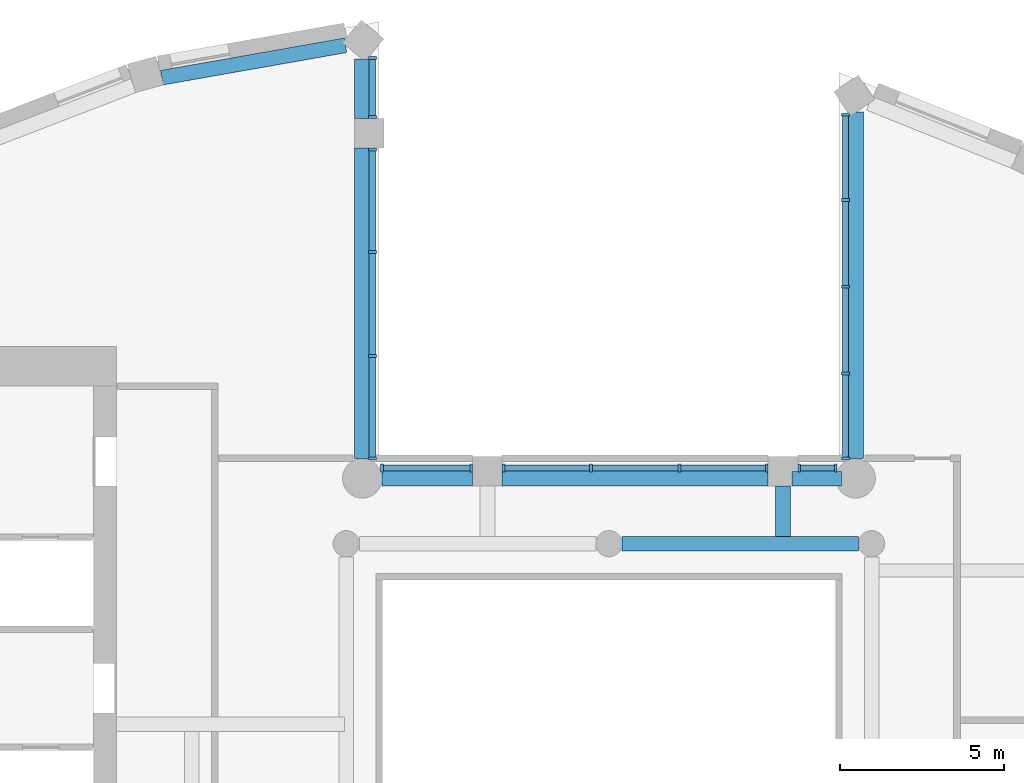
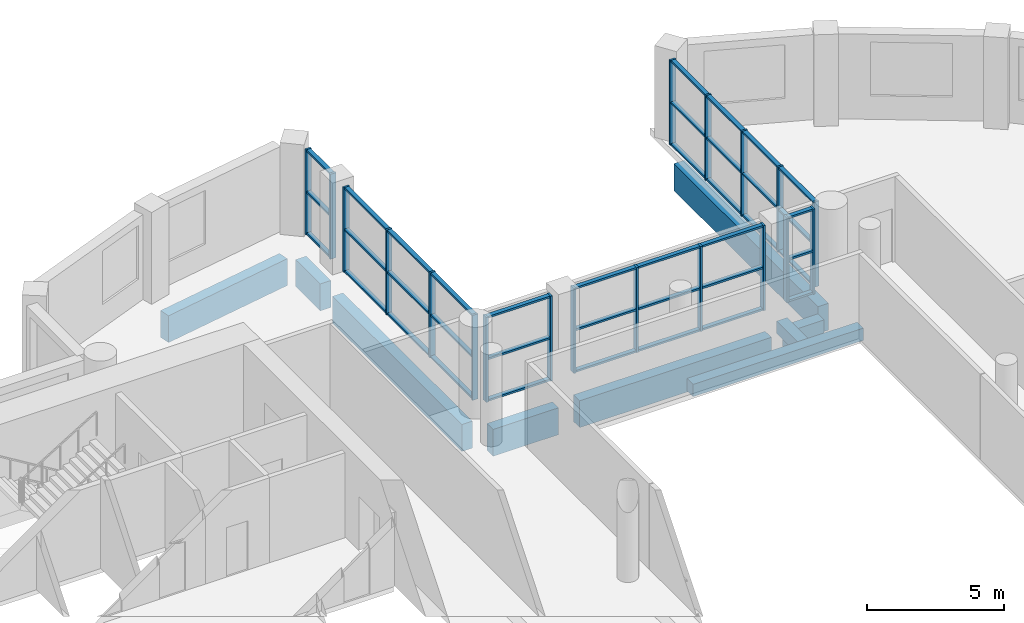
# One storey, part 2 of 14: 58 members, 9 beams, 6 elements without a shape of their own.
"""IFC4 building model written with IfcOpenShell, lengths in metres."""

from ifc_helpers import new_model, si_unit, direction, frame, origin, origin_2d, place, context, subcontext, project, spatial, rectangle, extrude, material, material_profile, profile_set, type_object, element, aggregate, save


model = new_model("IFC4")

# Units and contexts
model_context = context("Model", 3, precision=1e-05, world=origin(), true_north=direction((0.0, 1.0)))
body_context = subcontext(model_context, "Body", "Model", "MODEL_VIEW")
ifc_project = project(units=[si_unit("LENGTHUNIT", "METRE"), si_unit("AREAUNIT", "SQUARE_METRE"), si_unit("VOLUMEUNIT", "CUBIC_METRE"), si_unit("PLANEANGLEUNIT", "RADIAN"), si_unit("MASSUNIT", "GRAM", prefix="KILO")], contexts=[model_context])

# Site, building, storey
site_placement = place(None, origin())
site = spatial("IfcSite", under=ifc_project, at=site_placement, CompositionType="ELEMENT")
building_placement = place(site_placement, origin())
building = spatial("IfcBuilding", under=site, at=building_placement, Name="Cypress Arch Tower", CompositionType="ELEMENT")
storey_placement = place(building_placement, frame((0.0, 0.0, 325.39990234375)))
storey = spatial("IfcBuildingStorey", under=building, at=storey_placement, Name="L74", CompositionType="ELEMENT", Elevation=325.39990234375)

# Beams
ifc_material_1 = material(Name="Concrete C50/60", Category="concrete")
ifc_material_profile_1 = material_profile(ifc_material_1, rectangle(XDim=0.449951171875, YDim=0.550048828125, at=origin_2d()), Name="RC 450x550")
ifc_profile_set_1 = profile_set([ifc_material_profile_1], Name="Concrete C50/60")
beam_type_1 = type_object("IfcBeamType", Name="Floor beam RC 450x550 Concrete C50/60", PredefinedType="BEAM", material=ifc_profile_set_1)
beam_1_placement = place(storey_placement, frame((1.39990234375, 10.0, -0.574951171875), z_axis=(1.0, 0.0, 0.0), x_axis=(0.0, 1.0, 0.0)))
element("IfcBeam", 1, at=beam_1_placement, inside=storey, type_object=beam_type_1, Name="Floor beam L74 RB008", PredefinedType="BEAM", context=body_context, shape_type="SweptSolid", body=[
    extrude(rectangle(XDim=0.449951171875, YDim=0.550048828125, at=origin_2d()), origin(), (0.0, 0.0, 1.0), 7.2001953125),
])
beam_2_placement = place(storey_placement, frame((6.300048828125, 10.22509765625, -0.574951171875), z_axis=(0.0, 1.0, 0.0), x_axis=(-1.0, 0.0, 0.0)))
element("IfcBeam", 2, at=beam_2_placement, inside=storey, type_object=beam_type_1, Name="Floor beam L74 FB013", PredefinedType="BEAM", context=body_context, shape_type="SweptSolid", body=[
    extrude(rectangle(XDim=0.449951171875, YDim=0.550048828125, at=origin_2d()), origin(), (0.0, 0.0, 1.0), 1.52490234375),
])

# Curtain wall, members
ifc_material_2 = material(Name="Anodised aluminium, bronze finish, clear laminated double glazing", Category="aluminium")
curtain_wall_type = type_object("IfcCurtainWallType", Name="Curtain wall CW7 slot glazing", PredefinedType="NOTDEFINED", material=ifc_material_2)
curtain_wall_1_placement = place(storey_placement, origin())
curtain_wall_1 = element("IfcCurtainWall", 3, at=curtain_wall_1_placement, inside=storey, type_object=curtain_wall_type, Name="Curtain wall L74 slot C00.0", PredefinedType="NOTDEFINED")
ifc_material_3 = material(Name="Anodised aluminium, bronze finish", Category="aluminium")
ifc_material_profile_2 = material_profile(ifc_material_3, rectangle(XDim=0.239990234375, YDim=0.0849609375, at=origin_2d()), Name="Mullion 85x240")
ifc_profile_set_2 = profile_set([ifc_material_profile_2], Name="Anodised aluminium, bronze finish")
member_type_1 = type_object("IfcMemberType", Name="Mullion CW7 85x240", PredefinedType="MULLION", material=ifc_profile_set_2)
member_1_placement = place(storey_placement, frame((8.199951171875, 23.060302734375, 0.0), z_axis=(0.0, 0.0, 1.0), x_axis=(1.0, 0.0, 0.0)))
member_1 = element("IfcMember", 4, at=member_1_placement, type_object=member_type_1, Name="CW7 mullion 1", PredefinedType="MULLION", context=body_context, shape_type="SweptSolid", body=[
    extrude(rectangle(XDim=0.239990234375, YDim=0.0849609375, at=origin_2d()), origin(), (0.0, 0.0, 1.0), 3.800048828125),
])
member_2_placement = place(storey_placement, frame((8.199951171875, 20.464111328125, 0.0), z_axis=(0.0, 0.0, 1.0), x_axis=(1.0, 0.0, 0.0)))
member_2 = element("IfcMember", 5, at=member_2_placement, type_object=member_type_1, Name="CW7 mullion 2", PredefinedType="MULLION", context=body_context, shape_type="SweptSolid", body=[
    extrude(rectangle(XDim=0.239990234375, YDim=0.0849609375, at=origin_2d()), origin(), (0.0, 0.0, 1.0), 3.800048828125),
])
member_3_placement = place(storey_placement, frame((8.199951171875, 17.82568359375, 0.0), z_axis=(0.0, 0.0, 1.0), x_axis=(1.0, 0.0, 0.0)))
member_3 = element("IfcMember", 6, at=member_3_placement, type_object=member_type_1, Name="CW7 mullion 3", PredefinedType="MULLION", context=body_context, shape_type="SweptSolid", body=[
    extrude(rectangle(XDim=0.239990234375, YDim=0.0849609375, at=origin_2d()), origin(), (0.0, 0.0, 1.0), 3.800048828125),
])
member_4_placement = place(storey_placement, frame((8.199951171875, 15.18701171875, 0.0), z_axis=(0.0, 0.0, 1.0), x_axis=(1.0, 0.0, 0.0)))
member_4 = element("IfcMember", 7, at=member_4_placement, type_object=member_type_1, Name="CW7 mullion 4", PredefinedType="MULLION", context=body_context, shape_type="SweptSolid", body=[
    extrude(rectangle(XDim=0.239990234375, YDim=0.0849609375, at=origin_2d()), origin(), (0.0, 0.0, 1.0), 3.800048828125),
])
member_5_placement = place(storey_placement, frame((8.199951171875, 12.591064453125, 0.0), z_axis=(0.0, 0.0, 1.0), x_axis=(1.0, 0.0, 0.0)))
member_5 = element("IfcMember", 8, at=member_5_placement, type_object=member_type_1, Name="CW7 mullion 5", PredefinedType="MULLION", context=body_context, shape_type="SweptSolid", body=[
    extrude(rectangle(XDim=0.239990234375, YDim=0.0849609375, at=origin_2d()), origin(), (0.0, 0.0, 1.0), 3.800048828125),
])

curtain_wall_2_placement = place(storey_placement, origin())
curtain_wall_2 = element("IfcCurtainWall", 9, at=curtain_wall_2_placement, inside=storey, type_object=curtain_wall_type, Name="Curtain wall L74 slot C01.0", PredefinedType="NOTDEFINED")
member_6_placement = place(storey_placement, frame((7.908935546875, 12.300048828125, 0.0), z_axis=(0.0, 0.0, 1.0), x_axis=(0.0, -1.0, 0.0)))
member_6 = element("IfcMember", 10, at=member_6_placement, type_object=member_type_1, Name="CW7 mullion 1", PredefinedType="MULLION", context=body_context, shape_type="SweptSolid", body=[
    extrude(rectangle(XDim=0.239990234375, YDim=0.0849609375, at=origin_2d()), origin(), (0.0, 0.0, 1.0), 3.800048828125),
])
member_7_placement = place(storey_placement, frame((6.79248046875, 12.300048828125, 0.0), z_axis=(0.0, 0.0, 1.0), x_axis=(0.0, -1.0, 0.0)))
member_7 = element("IfcMember", 11, at=member_7_placement, type_object=member_type_1, Name="CW7 mullion 2", PredefinedType="MULLION", context=body_context, shape_type="SweptSolid", body=[
    extrude(rectangle(XDim=0.239990234375, YDim=0.0849609375, at=origin_2d()), origin(), (0.0, 0.0, 1.0), 3.800048828125),
])

curtain_wall_3_placement = place(storey_placement, origin())
curtain_wall_3 = element("IfcCurtainWall", 12, at=curtain_wall_3_placement, inside=storey, type_object=curtain_wall_type, Name="Curtain wall L74 slot C01.1", PredefinedType="NOTDEFINED")
member_8_placement = place(storey_placement, frame((5.8076171875, 12.300048828125, 0.0), z_axis=(0.0, 0.0, 1.0), x_axis=(0.0, -1.0, 0.0)))
member_8 = element("IfcMember", 13, at=member_8_placement, type_object=member_type_1, Name="CW7 mullion 1", PredefinedType="MULLION", context=body_context, shape_type="SweptSolid", body=[
    extrude(rectangle(XDim=0.239990234375, YDim=0.0849609375, at=origin_2d()), origin(), (0.0, 0.0, 1.0), 3.800048828125),
])
member_9_placement = place(storey_placement, frame((3.14990234375, 12.300048828125, 0.0), z_axis=(0.0, 0.0, 1.0), x_axis=(0.0, -1.0, 0.0)))
member_9 = element("IfcMember", 14, at=member_9_placement, type_object=member_type_1, Name="CW7 mullion 2", PredefinedType="MULLION", context=body_context, shape_type="SweptSolid", body=[
    extrude(rectangle(XDim=0.239990234375, YDim=0.0849609375, at=origin_2d()), origin(), (0.0, 0.0, 1.0), 3.800048828125),
])
member_10_placement = place(storey_placement, frame((0.449951171875, 12.300048828125, 0.0), z_axis=(0.0, 0.0, 1.0), x_axis=(0.0, -1.0, 0.0)))
member_10 = element("IfcMember", 15, at=member_10_placement, type_object=member_type_1, Name="CW7 mullion 3", PredefinedType="MULLION", context=body_context, shape_type="SweptSolid", body=[
    extrude(rectangle(XDim=0.239990234375, YDim=0.0849609375, at=origin_2d()), origin(), (0.0, 0.0, 1.0), 3.800048828125),
])
member_11_placement = place(storey_placement, frame((-2.20751953125, 12.300048828125, 0.0), z_axis=(0.0, 0.0, 1.0), x_axis=(0.0, -1.0, 0.0)))
member_11 = element("IfcMember", 16, at=member_11_placement, type_object=member_type_1, Name="CW7 mullion 4", PredefinedType="MULLION", context=body_context, shape_type="SweptSolid", body=[
    extrude(rectangle(XDim=0.239990234375, YDim=0.0849609375, at=origin_2d()), origin(), (0.0, 0.0, 1.0), 3.800048828125),
])

curtain_wall_4_placement = place(storey_placement, origin())
curtain_wall_4 = element("IfcCurtainWall", 17, at=curtain_wall_4_placement, inside=storey, type_object=curtain_wall_type, Name="Curtain wall L74 slot C01.2", PredefinedType="NOTDEFINED")
member_12_placement = place(storey_placement, frame((-3.1923828125, 12.300048828125, 0.0), z_axis=(0.0, 0.0, 1.0), x_axis=(0.0, -1.0, 0.0)))
member_12 = element("IfcMember", 18, at=member_12_placement, type_object=member_type_1, Name="CW7 mullion 1", PredefinedType="MULLION", context=body_context, shape_type="SweptSolid", body=[
    extrude(rectangle(XDim=0.239990234375, YDim=0.0849609375, at=origin_2d()), origin(), (0.0, 0.0, 1.0), 3.800048828125),
])
member_13_placement = place(storey_placement, frame((-5.908935546875, 12.300048828125, 0.0), z_axis=(0.0, 0.0, 1.0), x_axis=(0.0, -1.0, 0.0)))
member_13 = element("IfcMember", 19, at=member_13_placement, type_object=member_type_1, Name="CW7 mullion 2", PredefinedType="MULLION", context=body_context, shape_type="SweptSolid", body=[
    extrude(rectangle(XDim=0.239990234375, YDim=0.0849609375, at=origin_2d()), origin(), (0.0, 0.0, 1.0), 3.800048828125),
])

curtain_wall_5_placement = place(storey_placement, origin())
curtain_wall_5 = element("IfcCurtainWall", 20, at=curtain_wall_5_placement, inside=storey, type_object=curtain_wall_type, Name="Curtain wall L74 slot C02.0", PredefinedType="NOTDEFINED")
member_14_placement = place(storey_placement, frame((-6.199951171875, 12.591064453125, 0.0), z_axis=(0.0, 0.0, 1.0), x_axis=(-1.0, 0.0, 0.0)))
member_14 = element("IfcMember", 21, at=member_14_placement, type_object=member_type_1, Name="CW7 mullion 1", PredefinedType="MULLION", context=body_context, shape_type="SweptSolid", body=[
    extrude(rectangle(XDim=0.239990234375, YDim=0.0849609375, at=origin_2d()), origin(), (0.0, 0.0, 1.0), 3.800048828125),
])
member_15_placement = place(storey_placement, frame((-6.199951171875, 15.715576171875, 0.0), z_axis=(0.0, 0.0, 1.0), x_axis=(-1.0, 0.0, 0.0)))
member_15 = element("IfcMember", 22, at=member_15_placement, type_object=member_type_1, Name="CW7 mullion 2", PredefinedType="MULLION", context=body_context, shape_type="SweptSolid", body=[
    extrude(rectangle(XDim=0.239990234375, YDim=0.0849609375, at=origin_2d()), origin(), (0.0, 0.0, 1.0), 3.800048828125),
])
member_16_placement = place(storey_placement, frame((-6.199951171875, 18.8828125, 0.0), z_axis=(0.0, 0.0, 1.0), x_axis=(-1.0, 0.0, 0.0)))
member_16 = element("IfcMember", 23, at=member_16_placement, type_object=member_type_1, Name="CW7 mullion 3", PredefinedType="MULLION", context=body_context, shape_type="SweptSolid", body=[
    extrude(rectangle(XDim=0.239990234375, YDim=0.0849609375, at=origin_2d()), origin(), (0.0, 0.0, 1.0), 3.800048828125),
])
member_17_placement = place(storey_placement, frame((-6.199951171875, 22.007568359375, 0.0), z_axis=(0.0, 0.0, 1.0), x_axis=(-1.0, 0.0, 0.0)))
member_17 = element("IfcMember", 24, at=member_17_placement, type_object=member_type_1, Name="CW7 mullion 4", PredefinedType="MULLION", context=body_context, shape_type="SweptSolid", body=[
    extrude(rectangle(XDim=0.239990234375, YDim=0.0849609375, at=origin_2d()), origin(), (0.0, 0.0, 1.0), 3.800048828125),
])

curtain_wall_6_placement = place(storey_placement, origin())
curtain_wall_6 = element("IfcCurtainWall", 25, at=curtain_wall_6_placement, inside=storey, type_object=curtain_wall_type, Name="Curtain wall L74 slot C02.1", PredefinedType="NOTDEFINED")
member_18_placement = place(storey_placement, frame((-6.199951171875, 22.992431640625, 0.0), z_axis=(0.0, 0.0, 1.0), x_axis=(-1.0, 0.0, 0.0)))
member_18 = element("IfcMember", 26, at=member_18_placement, type_object=member_type_1, Name="CW7 mullion 1", PredefinedType="MULLION", context=body_context, shape_type="SweptSolid", body=[
    extrude(rectangle(XDim=0.239990234375, YDim=0.0849609375, at=origin_2d()), origin(), (0.0, 0.0, 1.0), 3.800048828125),
])
member_19_placement = place(storey_placement, frame((-6.199951171875, 24.789794921875, 0.0), z_axis=(0.0, 0.0, 1.0), x_axis=(-1.0, 0.0, 0.0)))
member_19 = element("IfcMember", 27, at=member_19_placement, type_object=member_type_1, Name="CW7 mullion 2", PredefinedType="MULLION", context=body_context, shape_type="SweptSolid", body=[
    extrude(rectangle(XDim=0.239990234375, YDim=0.0849609375, at=origin_2d()), origin(), (0.0, 0.0, 1.0), 3.800048828125),
])

# Beams
ifc_material_4 = material(Name="Concrete C50/60", Category="concrete")
ifc_material_profile_3 = material_profile(ifc_material_4, rectangle(XDim=0.449951171875, YDim=1.199951171875, at=origin_2d()), Name="RC 450x1200")
ifc_profile_set_3 = profile_set([ifc_material_profile_3], Name="Concrete C50/60")
beam_type_2 = type_object("IfcBeamType", Name="Spandrel beam RC 450x1200 Concrete C50/60", PredefinedType="SPANDREL", material=ifc_profile_set_3)
beam_3_placement = place(storey_placement, frame((8.52490234375, 23.138427734375, -1.5498046875), z_axis=(0.0, -1.0, 0.0), x_axis=(1.0, 0.0, 0.0)))
element("IfcBeam", 28, at=beam_3_placement, inside=storey, type_object=beam_type_2, Name="Spandrel beam L74 BC00-0", PredefinedType="SPANDREL", context=body_context, shape_type="SweptSolid", body=[
    extrude(rectangle(XDim=0.449951171875, YDim=1.199951171875, at=origin_2d()), origin(), (0.0, 0.0, 1.0), 10.55078125),
])
beam_4_placement = place(storey_placement, frame((8.081298828125, 11.97509765625, -1.5498046875), z_axis=(-1.0, 0.0, 0.0), x_axis=(0.0, -1.0, 0.0)))
element("IfcBeam", 29, at=beam_4_placement, inside=storey, type_object=beam_type_2, Name="Spandrel beam L74 BC01-0", PredefinedType="SPANDREL", context=body_context, shape_type="SweptSolid", body=[
    extrude(rectangle(XDim=0.449951171875, YDim=1.199951171875, at=origin_2d()), origin(), (0.0, 0.0, 1.0), 1.5),
])
beam_5_placement = place(storey_placement, frame((5.85009765625, 11.97509765625, -1.5498046875), z_axis=(-1.0, 0.0, 0.0), x_axis=(0.0, -1.0, 0.0)))
element("IfcBeam", 30, at=beam_5_placement, inside=storey, type_object=beam_type_2, Name="Spandrel beam L74 BC01-1", PredefinedType="SPANDREL", context=body_context, shape_type="SweptSolid", body=[
    extrude(rectangle(XDim=0.449951171875, YDim=1.199951171875, at=origin_2d()), origin(), (0.0, 0.0, 1.0), 8.10009765625),
])
beam_6_placement = place(storey_placement, frame((-3.14990234375, 11.97509765625, -1.5498046875), z_axis=(-1.0, 0.0, 0.0), x_axis=(0.0, -1.0, 0.0)))
element("IfcBeam", 31, at=beam_6_placement, inside=storey, type_object=beam_type_2, Name="Spandrel beam L74 BC01-2", PredefinedType="SPANDREL", context=body_context, shape_type="SweptSolid", body=[
    extrude(rectangle(XDim=0.449951171875, YDim=1.199951171875, at=origin_2d()), origin(), (0.0, 0.0, 1.0), 2.762451171875),
])
beam_7_placement = place(storey_placement, frame((-6.52490234375, 12.587646484375, -1.5498046875), z_axis=(0.0, 1.0, 0.0), x_axis=(-1.0, 0.0, 0.0)))
element("IfcBeam", 32, at=beam_7_placement, inside=storey, type_object=beam_type_2, Name="Spandrel beam L74 BC02-0", PredefinedType="SPANDREL", context=body_context, shape_type="SweptSolid", body=[
    extrude(rectangle(XDim=0.449951171875, YDim=1.199951171875, at=origin_2d()), origin(), (0.0, 0.0, 1.0), 9.46240234375),
])
beam_8_placement = place(storey_placement, frame((-6.52490234375, 22.949951171875, -1.5498046875), z_axis=(0.0, 1.0, 0.0), x_axis=(-1.0, 0.0, 0.0)))
element("IfcBeam", 33, at=beam_8_placement, inside=storey, type_object=beam_type_2, Name="Spandrel beam L74 BC02-1", PredefinedType="SPANDREL", context=body_context, shape_type="SweptSolid", body=[
    extrude(rectangle(XDim=0.449951171875, YDim=1.199951171875, at=origin_2d()), origin(), (0.0, 0.0, 1.0), 1.810302734375),
])
beam_9_placement = place(storey_placement, frame((-7.021484375, 25.1767578125, -1.5498046875), z_axis=(-0.984798704294, -0.173699487682, 0.0), x_axis=(0.173699487682, -0.984798704294, 0.0)))
element("IfcBeam", 34, at=beam_9_placement, inside=storey, type_object=beam_type_2, Name="Spandrel beam L74 BC03-0", PredefinedType="SPANDREL", context=body_context, shape_type="SweptSolid", body=[
    extrude(rectangle(XDim=0.449951171875, YDim=1.199951171875, at=origin_2d()), origin(), (0.0, 0.0, 1.0), 5.678466796875),
])

# Member
ifc_material_5 = material(Name="Anodised aluminium, bronze finish", Category="aluminium")
ifc_material_profile_4 = material_profile(ifc_material_5, rectangle(XDim=0.179931640625, YDim=0.0849609375, at=origin_2d()), Name="Transom 85x180")
ifc_profile_set_4 = profile_set([ifc_material_profile_4], Name="Anodised aluminium, bronze finish")
member_type_2 = type_object("IfcMemberType", Name="Transom CW7 85x180", PredefinedType="USERDEFINED", material=ifc_profile_set_4)
member_20_placement = place(storey_placement, frame((8.199951171875, 23.017578125, 0.04248046875), z_axis=(0.0, -1.0, 0.0), x_axis=(1.0, 0.0, 0.0)))
member_20 = element("IfcMember", 35, at=member_20_placement, type_object=member_type_2, Name="CW7 transom 1.1", ObjectType="TRANSOM", PredefinedType="USERDEFINED", context=body_context, shape_type="SweptSolid", body=[
    extrude(rectangle(XDim=0.179931640625, YDim=0.0849609375, at=origin_2d()), origin(), (0.0, 0.0, 1.0), 2.510986328125),
])

member_21_placement = place(storey_placement, frame((8.199951171875, 23.017578125, 1.900146484375), z_axis=(0.0, -1.0, 0.0), x_axis=(1.0, 0.0, 0.0)))
member_21 = element("IfcMember", 36, at=member_21_placement, type_object=member_type_2, Name="CW7 transom 1.2", ObjectType="TRANSOM", PredefinedType="USERDEFINED", context=body_context, shape_type="SweptSolid", body=[
    extrude(rectangle(XDim=0.179931640625, YDim=0.0849609375, at=origin_2d()), origin(), (0.0, 0.0, 1.0), 2.510986328125),
])

member_22_placement = place(storey_placement, frame((8.199951171875, 23.017578125, 3.757568359375), z_axis=(0.0, -1.0, 0.0), x_axis=(1.0, 0.0, 0.0)))
member_22 = element("IfcMember", 37, at=member_22_placement, type_object=member_type_2, Name="CW7 transom 1.3", ObjectType="TRANSOM", PredefinedType="USERDEFINED", context=body_context, shape_type="SweptSolid", body=[
    extrude(rectangle(XDim=0.179931640625, YDim=0.0849609375, at=origin_2d()), origin(), (0.0, 0.0, 1.0), 2.510986328125),
])

member_23_placement = place(storey_placement, frame((8.199951171875, 20.421630859375, 0.04248046875), z_axis=(0.0, -1.0, 0.0), x_axis=(1.0, 0.0, 0.0)))
member_23 = element("IfcMember", 38, at=member_23_placement, type_object=member_type_2, Name="CW7 transom 2.1", ObjectType="TRANSOM", PredefinedType="USERDEFINED", context=body_context, shape_type="SweptSolid", body=[
    extrude(rectangle(XDim=0.179931640625, YDim=0.0849609375, at=origin_2d()), origin(), (0.0, 0.0, 1.0), 2.553466796875),
])

member_24_placement = place(storey_placement, frame((8.199951171875, 20.421630859375, 1.900146484375), z_axis=(0.0, -1.0, 0.0), x_axis=(1.0, 0.0, 0.0)))
member_24 = element("IfcMember", 39, at=member_24_placement, type_object=member_type_2, Name="CW7 transom 2.2", ObjectType="TRANSOM", PredefinedType="USERDEFINED", context=body_context, shape_type="SweptSolid", body=[
    extrude(rectangle(XDim=0.179931640625, YDim=0.0849609375, at=origin_2d()), origin(), (0.0, 0.0, 1.0), 2.553466796875),
])

member_25_placement = place(storey_placement, frame((8.199951171875, 20.421630859375, 3.757568359375), z_axis=(0.0, -1.0, 0.0), x_axis=(1.0, 0.0, 0.0)))
member_25 = element("IfcMember", 40, at=member_25_placement, type_object=member_type_2, Name="CW7 transom 2.3", ObjectType="TRANSOM", PredefinedType="USERDEFINED", context=body_context, shape_type="SweptSolid", body=[
    extrude(rectangle(XDim=0.179931640625, YDim=0.0849609375, at=origin_2d()), origin(), (0.0, 0.0, 1.0), 2.553466796875),
])

member_26_placement = place(storey_placement, frame((8.199951171875, 17.782958984375, 0.04248046875), z_axis=(0.0, -1.0, 0.0), x_axis=(1.0, 0.0, 0.0)))
member_26 = element("IfcMember", 41, at=member_26_placement, type_object=member_type_2, Name="CW7 transom 3.1", ObjectType="TRANSOM", PredefinedType="USERDEFINED", context=body_context, shape_type="SweptSolid", body=[
    extrude(rectangle(XDim=0.179931640625, YDim=0.0849609375, at=origin_2d()), origin(), (0.0, 0.0, 1.0), 2.553466796875),
])

member_27_placement = place(storey_placement, frame((8.199951171875, 17.782958984375, 1.900146484375), z_axis=(0.0, -1.0, 0.0), x_axis=(1.0, 0.0, 0.0)))
member_27 = element("IfcMember", 42, at=member_27_placement, type_object=member_type_2, Name="CW7 transom 3.2", ObjectType="TRANSOM", PredefinedType="USERDEFINED", context=body_context, shape_type="SweptSolid", body=[
    extrude(rectangle(XDim=0.179931640625, YDim=0.0849609375, at=origin_2d()), origin(), (0.0, 0.0, 1.0), 2.553466796875),
])

member_28_placement = place(storey_placement, frame((8.199951171875, 17.782958984375, 3.757568359375), z_axis=(0.0, -1.0, 0.0), x_axis=(1.0, 0.0, 0.0)))
member_28 = element("IfcMember", 43, at=member_28_placement, type_object=member_type_2, Name="CW7 transom 3.3", ObjectType="TRANSOM", PredefinedType="USERDEFINED", context=body_context, shape_type="SweptSolid", body=[
    extrude(rectangle(XDim=0.179931640625, YDim=0.0849609375, at=origin_2d()), origin(), (0.0, 0.0, 1.0), 2.553466796875),
])

member_29_placement = place(storey_placement, frame((8.199951171875, 15.14453125, 0.04248046875), z_axis=(0.0, -1.0, 0.0), x_axis=(1.0, 0.0, 0.0)))
member_29 = element("IfcMember", 44, at=member_29_placement, type_object=member_type_2, Name="CW7 transom 4.1", ObjectType="TRANSOM", PredefinedType="USERDEFINED", context=body_context, shape_type="SweptSolid", body=[
    extrude(rectangle(XDim=0.179931640625, YDim=0.0849609375, at=origin_2d()), origin(), (0.0, 0.0, 1.0), 2.510986328125),
])

member_30_placement = place(storey_placement, frame((8.199951171875, 15.14453125, 1.900146484375), z_axis=(0.0, -1.0, 0.0), x_axis=(1.0, 0.0, 0.0)))
member_30 = element("IfcMember", 45, at=member_30_placement, type_object=member_type_2, Name="CW7 transom 4.2", ObjectType="TRANSOM", PredefinedType="USERDEFINED", context=body_context, shape_type="SweptSolid", body=[
    extrude(rectangle(XDim=0.179931640625, YDim=0.0849609375, at=origin_2d()), origin(), (0.0, 0.0, 1.0), 2.510986328125),
])

member_31_placement = place(storey_placement, frame((8.199951171875, 15.14453125, 3.757568359375), z_axis=(0.0, -1.0, 0.0), x_axis=(1.0, 0.0, 0.0)))
member_31 = element("IfcMember", 46, at=member_31_placement, type_object=member_type_2, Name="CW7 transom 4.3", ObjectType="TRANSOM", PredefinedType="USERDEFINED", context=body_context, shape_type="SweptSolid", body=[
    extrude(rectangle(XDim=0.179931640625, YDim=0.0849609375, at=origin_2d()), origin(), (0.0, 0.0, 1.0), 2.510986328125),
])

aggregate(curtain_wall_1, [member_1, member_2, member_3, member_4, member_5, member_20, member_21, member_22, member_23, member_24, member_25, member_26, member_27, member_28, member_29, member_30, member_31])

member_32_placement = place(storey_placement, frame((7.866455078125, 12.300048828125, 0.04248046875), z_axis=(-1.0, 0.0, 0.0), x_axis=(0.0, -1.0, 0.0)))
member_32 = element("IfcMember", 47, at=member_32_placement, type_object=member_type_2, Name="CW7 transom 1.1", ObjectType="TRANSOM", PredefinedType="USERDEFINED", context=body_context, shape_type="SweptSolid", body=[
    extrude(rectangle(XDim=0.179931640625, YDim=0.0849609375, at=origin_2d()), origin(), (0.0, 0.0, 1.0), 1.031494140625),
])

member_33_placement = place(storey_placement, frame((7.866455078125, 12.300048828125, 1.900146484375), z_axis=(-1.0, 0.0, 0.0), x_axis=(0.0, -1.0, 0.0)))
member_33 = element("IfcMember", 48, at=member_33_placement, type_object=member_type_2, Name="CW7 transom 1.2", ObjectType="TRANSOM", PredefinedType="USERDEFINED", context=body_context, shape_type="SweptSolid", body=[
    extrude(rectangle(XDim=0.179931640625, YDim=0.0849609375, at=origin_2d()), origin(), (0.0, 0.0, 1.0), 1.031494140625),
])

member_34_placement = place(storey_placement, frame((7.866455078125, 12.300048828125, 3.757568359375), z_axis=(-1.0, 0.0, 0.0), x_axis=(0.0, -1.0, 0.0)))
member_34 = element("IfcMember", 49, at=member_34_placement, type_object=member_type_2, Name="CW7 transom 1.3", ObjectType="TRANSOM", PredefinedType="USERDEFINED", context=body_context, shape_type="SweptSolid", body=[
    extrude(rectangle(XDim=0.179931640625, YDim=0.0849609375, at=origin_2d()), origin(), (0.0, 0.0, 1.0), 1.031494140625),
])

aggregate(curtain_wall_2, [member_6, member_7, member_32, member_33, member_34])

member_35_placement = place(storey_placement, frame((5.764892578125, 12.300048828125, 0.04248046875), z_axis=(-1.0, 0.0, 0.0), x_axis=(0.0, -1.0, 0.0)))
member_35 = element("IfcMember", 50, at=member_35_placement, type_object=member_type_2, Name="CW7 transom 1.1", ObjectType="TRANSOM", PredefinedType="USERDEFINED", context=body_context, shape_type="SweptSolid", body=[
    extrude(rectangle(XDim=0.179931640625, YDim=0.0849609375, at=origin_2d()), origin(), (0.0, 0.0, 1.0), 2.572509765625),
])

member_36_placement = place(storey_placement, frame((5.764892578125, 12.300048828125, 1.900146484375), z_axis=(-1.0, 0.0, 0.0), x_axis=(0.0, -1.0, 0.0)))
member_36 = element("IfcMember", 51, at=member_36_placement, type_object=member_type_2, Name="CW7 transom 1.2", ObjectType="TRANSOM", PredefinedType="USERDEFINED", context=body_context, shape_type="SweptSolid", body=[
    extrude(rectangle(XDim=0.179931640625, YDim=0.0849609375, at=origin_2d()), origin(), (0.0, 0.0, 1.0), 2.572509765625),
])

member_37_placement = place(storey_placement, frame((5.764892578125, 12.300048828125, 3.757568359375), z_axis=(-1.0, 0.0, 0.0), x_axis=(0.0, -1.0, 0.0)))
member_37 = element("IfcMember", 52, at=member_37_placement, type_object=member_type_2, Name="CW7 transom 1.3", ObjectType="TRANSOM", PredefinedType="USERDEFINED", context=body_context, shape_type="SweptSolid", body=[
    extrude(rectangle(XDim=0.179931640625, YDim=0.0849609375, at=origin_2d()), origin(), (0.0, 0.0, 1.0), 2.572509765625),
])

member_38_placement = place(storey_placement, frame((3.107421875, 12.300048828125, 0.04248046875), z_axis=(-1.0, 0.0, 0.0), x_axis=(0.0, -1.0, 0.0)))
member_38 = element("IfcMember", 53, at=member_38_placement, type_object=member_type_2, Name="CW7 transom 2.1", ObjectType="TRANSOM", PredefinedType="USERDEFINED", context=body_context, shape_type="SweptSolid", body=[
    extrude(rectangle(XDim=0.179931640625, YDim=0.0849609375, at=origin_2d()), origin(), (0.0, 0.0, 1.0), 2.614990234375),
])

member_39_placement = place(storey_placement, frame((3.107421875, 12.300048828125, 1.900146484375), z_axis=(-1.0, 0.0, 0.0), x_axis=(0.0, -1.0, 0.0)))
member_39 = element("IfcMember", 54, at=member_39_placement, type_object=member_type_2, Name="CW7 transom 2.2", ObjectType="TRANSOM", PredefinedType="USERDEFINED", context=body_context, shape_type="SweptSolid", body=[
    extrude(rectangle(XDim=0.179931640625, YDim=0.0849609375, at=origin_2d()), origin(), (0.0, 0.0, 1.0), 2.614990234375),
])

member_40_placement = place(storey_placement, frame((3.107421875, 12.300048828125, 3.757568359375), z_axis=(-1.0, 0.0, 0.0), x_axis=(0.0, -1.0, 0.0)))
member_40 = element("IfcMember", 55, at=member_40_placement, type_object=member_type_2, Name="CW7 transom 2.3", ObjectType="TRANSOM", PredefinedType="USERDEFINED", context=body_context, shape_type="SweptSolid", body=[
    extrude(rectangle(XDim=0.179931640625, YDim=0.0849609375, at=origin_2d()), origin(), (0.0, 0.0, 1.0), 2.614990234375),
])

member_41_placement = place(storey_placement, frame((0.407470703125, 12.300048828125, 0.04248046875), z_axis=(-1.0, 0.0, 0.0), x_axis=(0.0, -1.0, 0.0)))
member_41 = element("IfcMember", 56, at=member_41_placement, type_object=member_type_2, Name="CW7 transom 3.1", ObjectType="TRANSOM", PredefinedType="USERDEFINED", context=body_context, shape_type="SweptSolid", body=[
    extrude(rectangle(XDim=0.179931640625, YDim=0.0849609375, at=origin_2d()), origin(), (0.0, 0.0, 1.0), 2.572509765625),
])

member_42_placement = place(storey_placement, frame((0.407470703125, 12.300048828125, 1.900146484375), z_axis=(-1.0, 0.0, 0.0), x_axis=(0.0, -1.0, 0.0)))
member_42 = element("IfcMember", 57, at=member_42_placement, type_object=member_type_2, Name="CW7 transom 3.2", ObjectType="TRANSOM", PredefinedType="USERDEFINED", context=body_context, shape_type="SweptSolid", body=[
    extrude(rectangle(XDim=0.179931640625, YDim=0.0849609375, at=origin_2d()), origin(), (0.0, 0.0, 1.0), 2.572509765625),
])

member_43_placement = place(storey_placement, frame((0.407470703125, 12.300048828125, 3.757568359375), z_axis=(-1.0, 0.0, 0.0), x_axis=(0.0, -1.0, 0.0)))
member_43 = element("IfcMember", 58, at=member_43_placement, type_object=member_type_2, Name="CW7 transom 3.3", ObjectType="TRANSOM", PredefinedType="USERDEFINED", context=body_context, shape_type="SweptSolid", body=[
    extrude(rectangle(XDim=0.179931640625, YDim=0.0849609375, at=origin_2d()), origin(), (0.0, 0.0, 1.0), 2.572509765625),
])

aggregate(curtain_wall_3, [member_8, member_9, member_10, member_11, member_35, member_36, member_37, member_38, member_39, member_40, member_41, member_42, member_43])

member_44_placement = place(storey_placement, frame((-3.235107421875, 12.300048828125, 0.04248046875), z_axis=(-1.0, 0.0, 0.0), x_axis=(0.0, -1.0, 0.0)))
member_44 = element("IfcMember", 59, at=member_44_placement, type_object=member_type_2, Name="CW7 transom 1.1", ObjectType="TRANSOM", PredefinedType="USERDEFINED", context=body_context, shape_type="SweptSolid", body=[
    extrude(rectangle(XDim=0.179931640625, YDim=0.0849609375, at=origin_2d()), origin(), (0.0, 0.0, 1.0), 2.63134765625),
])

member_45_placement = place(storey_placement, frame((-3.235107421875, 12.300048828125, 1.900146484375), z_axis=(-1.0, 0.0, 0.0), x_axis=(0.0, -1.0, 0.0)))
member_45 = element("IfcMember", 60, at=member_45_placement, type_object=member_type_2, Name="CW7 transom 1.2", ObjectType="TRANSOM", PredefinedType="USERDEFINED", context=body_context, shape_type="SweptSolid", body=[
    extrude(rectangle(XDim=0.179931640625, YDim=0.0849609375, at=origin_2d()), origin(), (0.0, 0.0, 1.0), 2.63134765625),
])

member_46_placement = place(storey_placement, frame((-3.235107421875, 12.300048828125, 3.757568359375), z_axis=(-1.0, 0.0, 0.0), x_axis=(0.0, -1.0, 0.0)))
member_46 = element("IfcMember", 61, at=member_46_placement, type_object=member_type_2, Name="CW7 transom 1.3", ObjectType="TRANSOM", PredefinedType="USERDEFINED", context=body_context, shape_type="SweptSolid", body=[
    extrude(rectangle(XDim=0.179931640625, YDim=0.0849609375, at=origin_2d()), origin(), (0.0, 0.0, 1.0), 2.63134765625),
])

aggregate(curtain_wall_4, [member_12, member_13, member_44, member_45, member_46])

member_47_placement = place(storey_placement, frame((-6.199951171875, 12.633544921875, 0.04248046875), z_axis=(0.0, 1.0, 0.0), x_axis=(-1.0, 0.0, 0.0)))
member_47 = element("IfcMember", 62, at=member_47_placement, type_object=member_type_2, Name="CW7 transom 1.1", ObjectType="TRANSOM", PredefinedType="USERDEFINED", context=body_context, shape_type="SweptSolid", body=[
    extrude(rectangle(XDim=0.179931640625, YDim=0.0849609375, at=origin_2d()), origin(), (0.0, 0.0, 1.0), 3.03955078125),
])

member_48_placement = place(storey_placement, frame((-6.199951171875, 12.633544921875, 1.900146484375), z_axis=(0.0, 1.0, 0.0), x_axis=(-1.0, 0.0, 0.0)))
member_48 = element("IfcMember", 63, at=member_48_placement, type_object=member_type_2, Name="CW7 transom 1.2", ObjectType="TRANSOM", PredefinedType="USERDEFINED", context=body_context, shape_type="SweptSolid", body=[
    extrude(rectangle(XDim=0.179931640625, YDim=0.0849609375, at=origin_2d()), origin(), (0.0, 0.0, 1.0), 3.03955078125),
])

member_49_placement = place(storey_placement, frame((-6.199951171875, 12.633544921875, 3.757568359375), z_axis=(0.0, 1.0, 0.0), x_axis=(-1.0, 0.0, 0.0)))
member_49 = element("IfcMember", 64, at=member_49_placement, type_object=member_type_2, Name="CW7 transom 1.3", ObjectType="TRANSOM", PredefinedType="USERDEFINED", context=body_context, shape_type="SweptSolid", body=[
    extrude(rectangle(XDim=0.179931640625, YDim=0.0849609375, at=origin_2d()), origin(), (0.0, 0.0, 1.0), 3.03955078125),
])

member_50_placement = place(storey_placement, frame((-6.199951171875, 15.758056640625, 0.04248046875), z_axis=(0.0, 1.0, 0.0), x_axis=(-1.0, 0.0, 0.0)))
member_50 = element("IfcMember", 65, at=member_50_placement, type_object=member_type_2, Name="CW7 transom 2.1", ObjectType="TRANSOM", PredefinedType="USERDEFINED", context=body_context, shape_type="SweptSolid", body=[
    extrude(rectangle(XDim=0.179931640625, YDim=0.0849609375, at=origin_2d()), origin(), (0.0, 0.0, 1.0), 3.082275390625),
])

member_51_placement = place(storey_placement, frame((-6.199951171875, 15.758056640625, 1.900146484375), z_axis=(0.0, 1.0, 0.0), x_axis=(-1.0, 0.0, 0.0)))
member_51 = element("IfcMember", 66, at=member_51_placement, type_object=member_type_2, Name="CW7 transom 2.2", ObjectType="TRANSOM", PredefinedType="USERDEFINED", context=body_context, shape_type="SweptSolid", body=[
    extrude(rectangle(XDim=0.179931640625, YDim=0.0849609375, at=origin_2d()), origin(), (0.0, 0.0, 1.0), 3.082275390625),
])

member_52_placement = place(storey_placement, frame((-6.199951171875, 15.758056640625, 3.757568359375), z_axis=(0.0, 1.0, 0.0), x_axis=(-1.0, 0.0, 0.0)))
member_52 = element("IfcMember", 67, at=member_52_placement, type_object=member_type_2, Name="CW7 transom 2.3", ObjectType="TRANSOM", PredefinedType="USERDEFINED", context=body_context, shape_type="SweptSolid", body=[
    extrude(rectangle(XDim=0.179931640625, YDim=0.0849609375, at=origin_2d()), origin(), (0.0, 0.0, 1.0), 3.082275390625),
])

member_53_placement = place(storey_placement, frame((-6.199951171875, 18.92529296875, 0.04248046875), z_axis=(0.0, 1.0, 0.0), x_axis=(-1.0, 0.0, 0.0)))
member_53 = element("IfcMember", 68, at=member_53_placement, type_object=member_type_2, Name="CW7 transom 3.1", ObjectType="TRANSOM", PredefinedType="USERDEFINED", context=body_context, shape_type="SweptSolid", body=[
    extrude(rectangle(XDim=0.179931640625, YDim=0.0849609375, at=origin_2d()), origin(), (0.0, 0.0, 1.0), 3.039794921875),
])

member_54_placement = place(storey_placement, frame((-6.199951171875, 18.92529296875, 1.900146484375), z_axis=(0.0, 1.0, 0.0), x_axis=(-1.0, 0.0, 0.0)))
member_54 = element("IfcMember", 69, at=member_54_placement, type_object=member_type_2, Name="CW7 transom 3.2", ObjectType="TRANSOM", PredefinedType="USERDEFINED", context=body_context, shape_type="SweptSolid", body=[
    extrude(rectangle(XDim=0.179931640625, YDim=0.0849609375, at=origin_2d()), origin(), (0.0, 0.0, 1.0), 3.039794921875),
])

member_55_placement = place(storey_placement, frame((-6.199951171875, 18.92529296875, 3.757568359375), z_axis=(0.0, 1.0, 0.0), x_axis=(-1.0, 0.0, 0.0)))
member_55 = element("IfcMember", 70, at=member_55_placement, type_object=member_type_2, Name="CW7 transom 3.3", ObjectType="TRANSOM", PredefinedType="USERDEFINED", context=body_context, shape_type="SweptSolid", body=[
    extrude(rectangle(XDim=0.179931640625, YDim=0.0849609375, at=origin_2d()), origin(), (0.0, 0.0, 1.0), 3.039794921875),
])

aggregate(curtain_wall_5, [member_14, member_15, member_16, member_17, member_47, member_48, member_49, member_50, member_51, member_52, member_53, member_54, member_55])

member_56_placement = place(storey_placement, frame((-6.199951171875, 23.034912109375, 0.04248046875), z_axis=(0.0, 1.0, 0.0), x_axis=(-1.0, 0.0, 0.0)))
member_56 = element("IfcMember", 71, at=member_56_placement, type_object=member_type_2, Name="CW7 transom 1.1", ObjectType="TRANSOM", PredefinedType="USERDEFINED", context=body_context, shape_type="SweptSolid", body=[
    extrude(rectangle(XDim=0.179931640625, YDim=0.0849609375, at=origin_2d()), origin(), (0.0, 0.0, 1.0), 1.71240234375),
])

member_57_placement = place(storey_placement, frame((-6.199951171875, 23.034912109375, 1.900146484375), z_axis=(0.0, 1.0, 0.0), x_axis=(-1.0, 0.0, 0.0)))
member_57 = element("IfcMember", 72, at=member_57_placement, type_object=member_type_2, Name="CW7 transom 1.2", ObjectType="TRANSOM", PredefinedType="USERDEFINED", context=body_context, shape_type="SweptSolid", body=[
    extrude(rectangle(XDim=0.179931640625, YDim=0.0849609375, at=origin_2d()), origin(), (0.0, 0.0, 1.0), 1.71240234375),
])

member_58_placement = place(storey_placement, frame((-6.199951171875, 23.034912109375, 3.757568359375), z_axis=(0.0, 1.0, 0.0), x_axis=(-1.0, 0.0, 0.0)))
member_58 = element("IfcMember", 73, at=member_58_placement, type_object=member_type_2, Name="CW7 transom 1.3", ObjectType="TRANSOM", PredefinedType="USERDEFINED", context=body_context, shape_type="SweptSolid", body=[
    extrude(rectangle(XDim=0.179931640625, YDim=0.0849609375, at=origin_2d()), origin(), (0.0, 0.0, 1.0), 1.71240234375),
])

aggregate(curtain_wall_6, [member_18, member_19, member_56, member_57, member_58])

save(model, "model.ifc")
